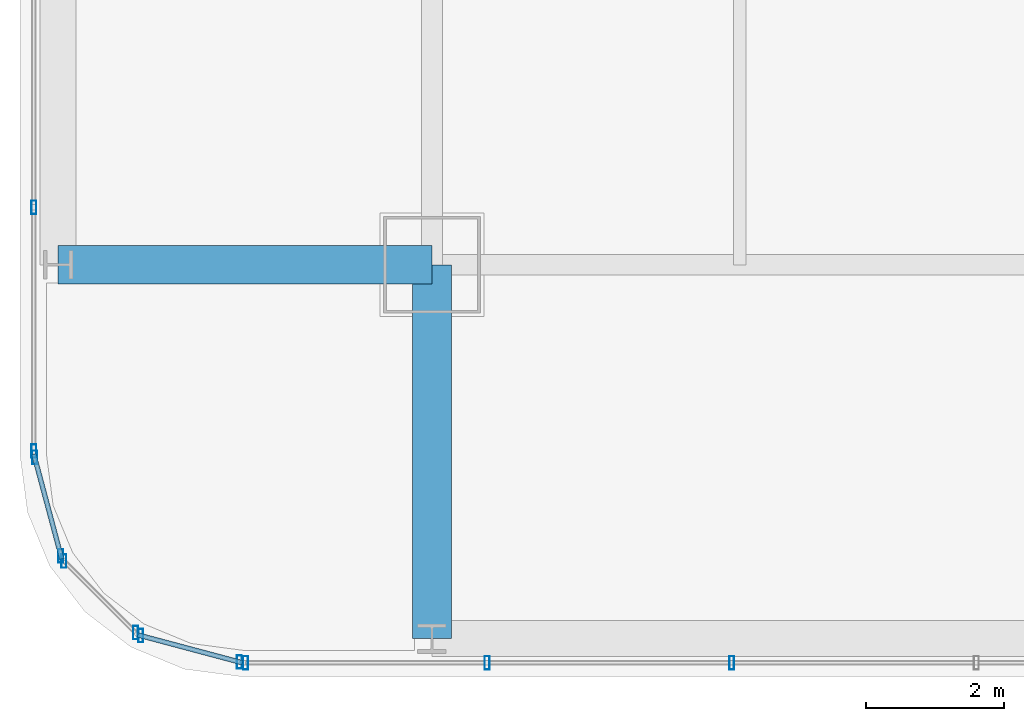
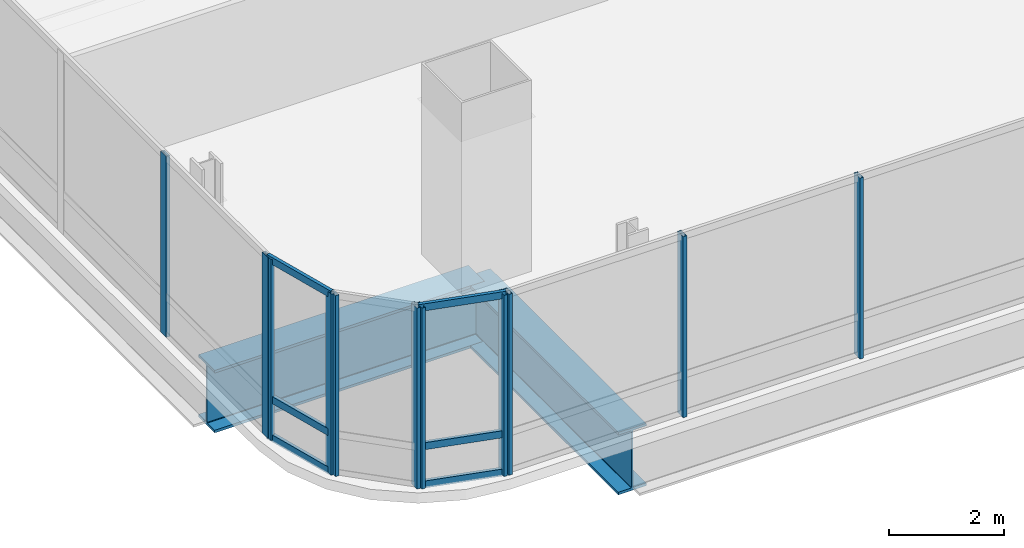
# One storey, part 2 of 36: 17 members, 2 beams, 5 elements without a shape of their own.
"""IFC4 building model written with IfcOpenShell, lengths in metres."""

from ifc_helpers import new_model, si_unit, direction, frame, origin, origin_2d, place, context, subcontext, project, spatial, hollow_rectangle, i_section, extrude, material, material_profile, profile_set, type_object, element, aggregate, save


model = new_model("IFC4")

# Units and contexts
model_context = context("Model", 3, precision=1e-05, world=origin(), true_north=direction((0.0, 1.0)))
body_context = subcontext(model_context, "Body", "Model", "MODEL_VIEW")
ifc_project = project(units=[si_unit("LENGTHUNIT", "METRE"), si_unit("AREAUNIT", "SQUARE_METRE"), si_unit("VOLUMEUNIT", "CUBIC_METRE"), si_unit("PLANEANGLEUNIT", "RADIAN"), si_unit("MASSUNIT", "GRAM", prefix="KILO")], contexts=[model_context])

# Site, building, storey
site_placement = place(None, origin())
site = spatial("IfcSite", under=ifc_project, at=site_placement, CompositionType="ELEMENT")
building_placement = place(site_placement, origin())
building = spatial("IfcBuilding", under=site, at=building_placement, Name="Punatoya Terracotta Tower", CompositionType="ELEMENT")
storey_placement = place(building_placement, frame((0.0, 0.0, 176.25)))
storey = spatial("IfcBuildingStorey", under=building, at=storey_placement, Name="L41", CompositionType="ELEMENT", Elevation=176.25)

# Beams
ifc_material_1 = material(Name="Steel S460", Category="steel")
ifc_material_profile_1 = material_profile(ifc_material_1, i_section(OverallWidth=0.56005859375, OverallDepth=1.320068359375, WebThickness=0.035888671875, FlangeThickness=0.054931640625, FilletRadius=0.01806640625, at=origin_2d()))
ifc_profile_set_1 = profile_set([ifc_material_profile_1], Name="Steel S460")
beam_type = type_object("IfcBeamType", Name="BM-TG-BLK", PredefinedType="BEAM", material=ifc_profile_set_1)
for number, where, z_axis, x_axis, name in (
    (1, (-24.5, -17.5, -0.8798828125), (1.0, 0.0, 0.0), (0.0, 1.0, 0.0), "BM-L41-CANT-W1"),
    (2, (-19.10009765625, -22.89990234375, -0.8798828125), (0.0, 1.0, 0.0), (-1.0, 0.0, 0.0), "BM-L41-CANT-S1"),
):
    element("IfcBeam", number, at=place(storey_placement, frame(where, z_axis=z_axis, x_axis=x_axis)), inside=storey, type_object=beam_type, Name=name, PredefinedType="BEAM", context=body_context, shape_type="SweptSolid", body=[
        extrude(i_section(OverallWidth=0.56005859375, OverallDepth=1.320068359375, WebThickness=0.035888671875, FlangeThickness=0.054931640625, FilletRadius=0.01806640625, at=origin_2d()), origin(), (0.0, 0.0, 1.0), 5.39990234375),
    ])

# Curtain wall, members
ifc_material_2 = material(Name="Aluminium 6063-T6 + Double Low-E Glass", Category="aluminium")
curtain_wall_type = type_object("IfcCurtainWallType", Name="CW-M2", PredefinedType="NOTDEFINED", material=ifc_material_2)
curtain_wall_1_placement = place(storey_placement, origin())
curtain_wall_1 = element("IfcCurtainWall", 3, at=curtain_wall_1_placement, inside=storey, type_object=curtain_wall_type, Name="L41 Curtain Wall CW-L41-S01-1", PredefinedType="NOTDEFINED")
ifc_material_3 = material(Name="Aluminium 6063-T6", Category="aluminium")
ifc_material_profile_2 = material_profile(ifc_material_3, hollow_rectangle(XDim=0.072021484375, YDim=0.195068359375, WallThickness=0.00439453125, at=origin_2d()))
ifc_profile_set_2 = profile_set([ifc_material_profile_2], Name="Aluminium 6063-T6")
member_type_1 = type_object("IfcMemberType", Name="CW-MUL-M2", PredefinedType="MULLION", material=ifc_profile_set_2)
member_1_placement = place(storey_placement, frame((-21.7919921875, -23.25, 0.0), z_axis=(0.0, 0.0, 1.0), x_axis=(1.0, 0.0, 0.0)))
member_1 = element("IfcMember", 4, at=member_1_placement, type_object=member_type_1, Name="CW-L41-S01-1 Mullion 00", PredefinedType="MULLION", context=body_context, shape_type="SweptSolid", body=[
    extrude(hollow_rectangle(XDim=0.072021484375, YDim=0.195068359375, WallThickness=0.00439453125, at=origin_2d()), origin(), (0.0, 0.0, 1.0), 3.830078125),
])
member_2_placement = place(storey_placement, frame((-18.302978515625, -23.25, 0.0), z_axis=(0.0, 0.0, 1.0), x_axis=(1.0, 0.0, 0.0)))
member_2 = element("IfcMember", 5, at=member_2_placement, type_object=member_type_1, Name="CW-L41-S01-1 Mullion 01", PredefinedType="MULLION", context=body_context, shape_type="SweptSolid", body=[
    extrude(hollow_rectangle(XDim=0.072021484375, YDim=0.195068359375, WallThickness=0.00439453125, at=origin_2d()), origin(), (0.0, 0.0, 1.0), 3.830078125),
])
member_3_placement = place(storey_placement, frame((-14.768798828125, -23.25, 0.0), z_axis=(0.0, 0.0, 1.0), x_axis=(1.0, 0.0, 0.0)))
member_3 = element("IfcMember", 6, at=member_3_placement, type_object=member_type_1, Name="CW-L41-S01-1 Mullion 02", PredefinedType="MULLION", context=body_context, shape_type="SweptSolid", body=[
    extrude(hollow_rectangle(XDim=0.072021484375, YDim=0.195068359375, WallThickness=0.00439453125, at=origin_2d()), origin(), (0.0, 0.0, 1.0), 3.830078125),
])
aggregate(curtain_wall_1, [member_1, member_2, member_3])

curtain_wall_2_placement = place(storey_placement, origin())
curtain_wall_2 = element("IfcCurtainWall", 7, at=curtain_wall_2_placement, inside=storey, type_object=curtain_wall_type, Name="L41 Curtain Wall CW-L41-W13-1", PredefinedType="NOTDEFINED")
member_4_placement = place(storey_placement, frame((-24.85009765625, -16.66943359375, 0.0), z_axis=(0.0, 0.0, 1.0), x_axis=(1.0, 0.0, 0.0)))
member_4 = element("IfcMember", 8, at=member_4_placement, type_object=member_type_1, Name="CW-L41-W13-1 Mullion 09", PredefinedType="MULLION", context=body_context, shape_type="SweptSolid", body=[
    extrude(hollow_rectangle(XDim=0.072021484375, YDim=0.195068359375, WallThickness=0.00439453125, at=origin_2d()), origin(), (0.0, 0.0, 1.0), 3.830078125),
])
member_5_placement = place(storey_placement, frame((-24.85009765625, -20.19189453125, 0.0), z_axis=(0.0, 0.0, 1.0), x_axis=(1.0, 0.0, 0.0)))
member_5 = element("IfcMember", 9, at=member_5_placement, type_object=member_type_1, Name="CW-L41-W13-1 Mullion 10", PredefinedType="MULLION", context=body_context, shape_type="SweptSolid", body=[
    extrude(hollow_rectangle(XDim=0.072021484375, YDim=0.195068359375, WallThickness=0.00439453125, at=origin_2d()), origin(), (0.0, 0.0, 1.0), 3.830078125),
])
aggregate(curtain_wall_2, [member_4, member_5])

curtain_wall_3_placement = place(storey_placement, origin())
curtain_wall_3 = element("IfcCurtainWall", 10, at=curtain_wall_3_placement, inside=storey, type_object=curtain_wall_type, Name="L41 Curtain Wall CW-L41-CRN14", PredefinedType="NOTDEFINED")
member_6_placement = place(storey_placement, frame((-24.83837890625, -20.280517578125, 0.0), z_axis=(0.0, 0.0, 1.0), x_axis=(1.0, 0.0, 0.0)))
member_6 = element("IfcMember", 11, at=member_6_placement, type_object=member_type_1, Name="CW-L41-CRN14 Mullion 00", PredefinedType="MULLION", context=body_context, shape_type="SweptSolid", body=[
    extrude(hollow_rectangle(XDim=0.072021484375, YDim=0.195068359375, WallThickness=0.00439453125, at=origin_2d()), origin(), (0.0, 0.0, 1.0), 3.830078125),
])
member_7_placement = place(storey_placement, frame((-24.458251953125, -21.70556640625, 0.0), z_axis=(0.0, 0.0, 1.0), x_axis=(1.0, 0.0, 0.0)))
member_7 = element("IfcMember", 12, at=member_7_placement, type_object=member_type_1, Name="CW-L41-CRN14 Mullion 01", PredefinedType="MULLION", context=body_context, shape_type="SweptSolid", body=[
    extrude(hollow_rectangle(XDim=0.072021484375, YDim=0.195068359375, WallThickness=0.00439453125, at=origin_2d()), origin(), (0.0, 0.0, 1.0), 3.830078125),
])

curtain_wall_4_placement = place(storey_placement, origin())
curtain_wall_4 = element("IfcCurtainWall", 13, at=curtain_wall_4_placement, inside=storey, type_object=curtain_wall_type, Name="L41 Curtain Wall CW-L41-CRN15", PredefinedType="NOTDEFINED")
member_8_placement = place(storey_placement, frame((-24.414794921875, -21.781005859375, 0.0), z_axis=(0.0, 0.0, 1.0), x_axis=(1.0, 0.0, 0.0)))
member_8 = element("IfcMember", 14, at=member_8_placement, type_object=member_type_1, Name="CW-L41-CRN15 Mullion 00", PredefinedType="MULLION", context=body_context, shape_type="SweptSolid", body=[
    extrude(hollow_rectangle(XDim=0.072021484375, YDim=0.195068359375, WallThickness=0.00439453125, at=origin_2d()), origin(), (0.0, 0.0, 1.0), 3.830078125),
])
member_9_placement = place(storey_placement, frame((-23.380859375, -22.814697265625, 0.0), z_axis=(0.0, 0.0, 1.0), x_axis=(1.0, 0.0, 0.0)))
member_9 = element("IfcMember", 15, at=member_9_placement, type_object=member_type_1, Name="CW-L41-CRN15 Mullion 01", PredefinedType="MULLION", context=body_context, shape_type="SweptSolid", body=[
    extrude(hollow_rectangle(XDim=0.072021484375, YDim=0.195068359375, WallThickness=0.00439453125, at=origin_2d()), origin(), (0.0, 0.0, 1.0), 3.830078125),
])
aggregate(curtain_wall_4, [member_8, member_9])

curtain_wall_5_placement = place(storey_placement, origin())
curtain_wall_5 = element("IfcCurtainWall", 16, at=curtain_wall_5_placement, inside=storey, type_object=curtain_wall_type, Name="L41 Curtain Wall CW-L41-CRN16", PredefinedType="NOTDEFINED")
member_10_placement = place(storey_placement, frame((-23.3056640625, -22.858154296875, 0.0), z_axis=(0.0, 0.0, 1.0), x_axis=(1.0, 0.0, 0.0)))
member_10 = element("IfcMember", 17, at=member_10_placement, type_object=member_type_1, Name="CW-L41-CRN16 Mullion 00", PredefinedType="MULLION", context=body_context, shape_type="SweptSolid", body=[
    extrude(hollow_rectangle(XDim=0.072021484375, YDim=0.195068359375, WallThickness=0.00439453125, at=origin_2d()), origin(), (0.0, 0.0, 1.0), 3.830078125),
])
member_11_placement = place(storey_placement, frame((-21.88037109375, -23.23828125, 0.0), z_axis=(0.0, 0.0, 1.0), x_axis=(1.0, 0.0, 0.0)))
member_11 = element("IfcMember", 18, at=member_11_placement, type_object=member_type_1, Name="CW-L41-CRN16 Mullion 01", PredefinedType="MULLION", context=body_context, shape_type="SweptSolid", body=[
    extrude(hollow_rectangle(XDim=0.072021484375, YDim=0.195068359375, WallThickness=0.00439453125, at=origin_2d()), origin(), (0.0, 0.0, 1.0), 3.830078125),
])

# Member
ifc_material_profile_3 = material_profile(ifc_material_3, hollow_rectangle(XDim=0.068115234375, YDim=0.14990234375, WallThickness=0.00390625, at=origin_2d()))
ifc_profile_set_3 = profile_set([ifc_material_profile_3], Name="Aluminium 6063-T6")
member_type_2 = type_object("IfcMemberType", Name="CW-TRN-TYP", PredefinedType="USERDEFINED", material=ifc_profile_set_3)
member_12_placement = place(storey_placement, frame((-24.85009765625, -20.23681640625, 0.0400390625), z_axis=(0.257847112249, -0.966185730957, 0.0), x_axis=(0.966185730957, 0.257847112249, 0.0)))
member_12 = element("IfcMember", 19, at=member_12_placement, type_object=member_type_2, Name="CW-L41-CRN14 Transom 1", ObjectType="TRANSOM", PredefinedType="USERDEFINED", context=body_context, shape_type="SweptSolid", body=[
    extrude(hollow_rectangle(XDim=0.068115234375, YDim=0.14990234375, WallThickness=0.00390625, at=origin_2d()), origin(), (0.0, 0.0, 1.0), 1.565185546875),
])

member_13_placement = place(storey_placement, frame((-24.85009765625, -20.23681640625, 0.85009765625), z_axis=(0.257847112249, -0.966185730957, 0.0), x_axis=(0.966185730957, 0.257847112249, 0.0)))
member_13 = element("IfcMember", 20, at=member_13_placement, type_object=member_type_2, Name="CW-L41-CRN14 Transom 2", ObjectType="TRANSOM", PredefinedType="USERDEFINED", context=body_context, shape_type="SweptSolid", body=[
    extrude(hollow_rectangle(XDim=0.068115234375, YDim=0.14990234375, WallThickness=0.00390625, at=origin_2d()), origin(), (0.0, 0.0, 1.0), 1.565185546875),
])

member_14_placement = place(storey_placement, frame((-24.85009765625, -20.23681640625, 3.7900390625), z_axis=(0.257847112249, -0.966185730957, 0.0), x_axis=(0.966185730957, 0.257847112249, 0.0)))
member_14 = element("IfcMember", 21, at=member_14_placement, type_object=member_type_2, Name="CW-L41-CRN14 Transom 3", ObjectType="TRANSOM", PredefinedType="USERDEFINED", context=body_context, shape_type="SweptSolid", body=[
    extrude(hollow_rectangle(XDim=0.068115234375, YDim=0.14990234375, WallThickness=0.00390625, at=origin_2d()), origin(), (0.0, 0.0, 1.0), 1.565185546875),
])

aggregate(curtain_wall_3, [member_6, member_7, member_12, member_13, member_14])

member_15_placement = place(storey_placement, frame((-23.34912109375, -22.8466796875, 0.0400390625), z_axis=(0.966224582397, -0.257701486942, 0.0), x_axis=(0.257701486942, 0.966224582397, 0.0)))
member_15 = element("IfcMember", 22, at=member_15_placement, type_object=member_type_2, Name="CW-L41-CRN16 Transom 1", ObjectType="TRANSOM", PredefinedType="USERDEFINED", context=body_context, shape_type="SweptSolid", body=[
    extrude(hollow_rectangle(XDim=0.068115234375, YDim=0.14990234375, WallThickness=0.00390625, at=origin_2d()), origin(), (0.0, 0.0, 1.0), 1.565185546875),
])

member_16_placement = place(storey_placement, frame((-23.34912109375, -22.8466796875, 0.85009765625), z_axis=(0.966224582397, -0.257701486942, 0.0), x_axis=(0.257701486942, 0.966224582397, 0.0)))
member_16 = element("IfcMember", 23, at=member_16_placement, type_object=member_type_2, Name="CW-L41-CRN16 Transom 2", ObjectType="TRANSOM", PredefinedType="USERDEFINED", context=body_context, shape_type="SweptSolid", body=[
    extrude(hollow_rectangle(XDim=0.068115234375, YDim=0.14990234375, WallThickness=0.00390625, at=origin_2d()), origin(), (0.0, 0.0, 1.0), 1.565185546875),
])

member_17_placement = place(storey_placement, frame((-23.34912109375, -22.8466796875, 3.7900390625), z_axis=(0.966224582397, -0.257701486942, 0.0), x_axis=(0.257701486942, 0.966224582397, 0.0)))
member_17 = element("IfcMember", 24, at=member_17_placement, type_object=member_type_2, Name="CW-L41-CRN16 Transom 3", ObjectType="TRANSOM", PredefinedType="USERDEFINED", context=body_context, shape_type="SweptSolid", body=[
    extrude(hollow_rectangle(XDim=0.068115234375, YDim=0.14990234375, WallThickness=0.00390625, at=origin_2d()), origin(), (0.0, 0.0, 1.0), 1.565185546875),
])

aggregate(curtain_wall_5, [member_10, member_11, member_15, member_16, member_17])

save(model, "model.ifc")
